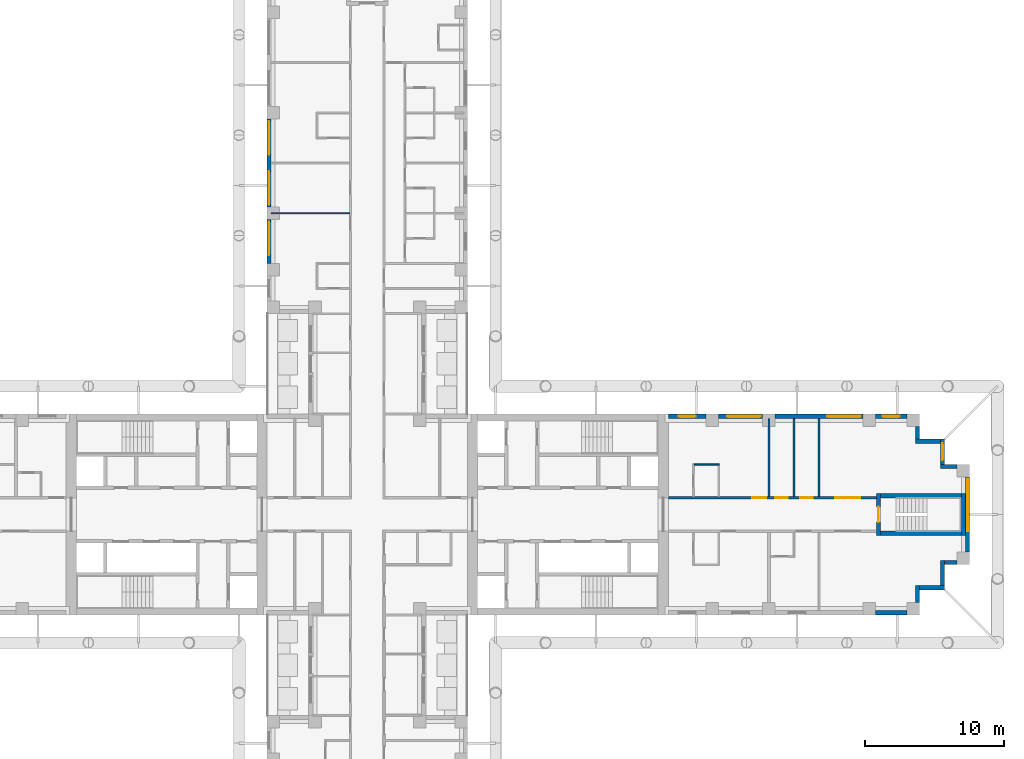
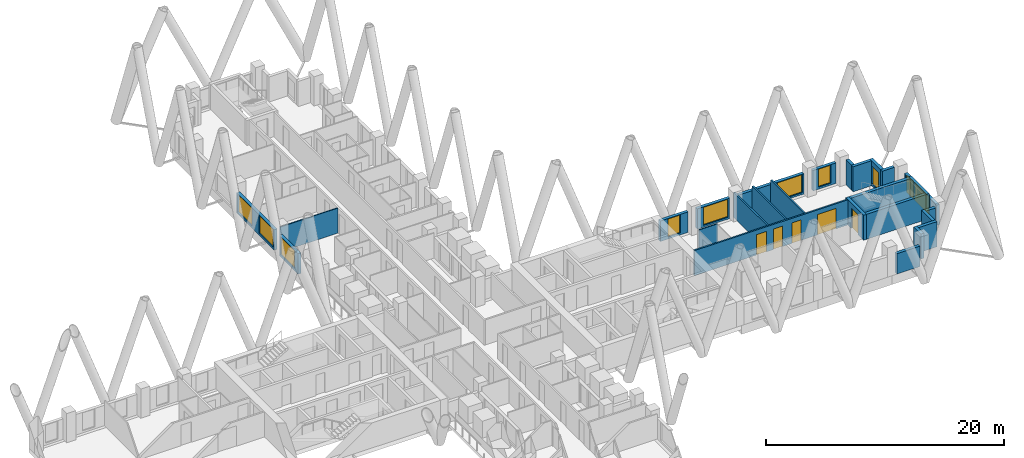
# One storey, part 11 of 17: 26 walls, 10 windows, 5 doors, 15 openings.
"""IFC4 building model written with IfcOpenShell, lengths in metres."""

from ifc_helpers import new_model, si_unit, direction, frame, frame_2d, origin, place, context, subcontext, project, spatial, rectangle, extrude, material, layer, layer_set, type_object, element, fill, save


model = new_model("IFC4")

# Units and contexts
model_context = context("Model", 3, precision=1e-05, world=origin(), true_north=direction((0.0, 1.0)))
body_context = subcontext(model_context, "Body", "Model", "MODEL_VIEW")
ifc_project = project(units=[si_unit("LENGTHUNIT", "METRE"), si_unit("AREAUNIT", "SQUARE_METRE"), si_unit("VOLUMEUNIT", "CUBIC_METRE"), si_unit("PLANEANGLEUNIT", "RADIAN"), si_unit("MASSUNIT", "GRAM", prefix="KILO")], contexts=[model_context])

# Site, building, storey
site_placement = place(None, origin())
site = spatial("IfcSite", under=ifc_project, at=site_placement, CompositionType="ELEMENT")
building_placement = place(site_placement, origin())
building = spatial("IfcBuilding", under=site, at=building_placement, Name="Fustian Cross Tower", CompositionType="ELEMENT")
storey_placement = place(building_placement, frame((0.0, 0.0, 56.699951171875)))
storey = spatial("IfcBuildingStorey", under=building, at=storey_placement, Name="L17", CompositionType="ELEMENT", Elevation=56.699951171875)

# Wall, openings, doors
ifc_material_1 = material(Name="Plasterboard on steel stud", Category="steel")
ifc_layer_1 = layer(ifc_material_1, 0.14990234375)
ifc_layer_set_1 = layer_set([ifc_layer_1], Name="Plasterboard on steel stud")
wall_type_1 = type_object("IfcWallType", Name="COMPARTMENT WALL 150 EI 60", PredefinedType="PARTITIONING", material=ifc_layer_set_1)
wall_1_placement = place(storey_placement, frame((21.60009765625, 1.199951171875, 0.0), z_axis=(0.0, 0.0, 1.0), x_axis=(1.0, 0.0, 0.0)))
wall_1 = element("IfcWall", 1, at=wall_1_placement, inside=storey, type_object=wall_type_1, Name="Partition 89", PredefinedType="PARTITIONING", context=body_context, shape_type="SweptSolid", body=[
    extrude(rectangle(XDim=14.89990234375, YDim=0.14990234375, at=frame_2d((7.449951171875, 0.0))), origin(), (0.0, 0.0, 1.0), 2.574951171875),
])
opening_1_placement = place(wall_1_placement, frame((6.0, 0.0, 0.0)))
opening_1 = element("IfcOpeningElement", 2, at=opening_1_placement, cuts=wall_1, Name="Opening D09013", PredefinedType="OPENING", context=body_context, shape_type="SweptSolid", body=[
    extrude(rectangle(XDim=1.0, YDim=2.10009765625, at=frame_2d((0.5, 1.050048828125))), frame((0.0, 0.0849609375, 0.0), z_axis=(0.0, -1.0, 0.0), x_axis=(1.0, 0.0, 0.0)), (0.0, 0.0, 1.0), 0.169921875),
])
opening_2_placement = place(wall_1_placement, frame((7.64990234375, 0.0, 0.0)))
opening_2 = element("IfcOpeningElement", 3, at=opening_2_placement, cuts=wall_1, Name="Opening D09014", PredefinedType="OPENING", context=body_context, shape_type="SweptSolid", body=[
    extrude(rectangle(XDim=0.89990234375, YDim=2.10009765625, at=frame_2d((0.449951171875, 1.050048828125))), frame((0.0, 0.0849609375, 0.0), z_axis=(0.0, -1.0, 0.0), x_axis=(1.0, 0.0, 0.0)), (0.0, 0.0, 1.0), 0.169921875),
])
opening_3_placement = place(wall_1_placement, frame((9.449951171875, 0.0, 0.0)))
opening_3 = element("IfcOpeningElement", 4, at=opening_3_placement, cuts=wall_1, Name="Opening D09015", PredefinedType="OPENING", context=body_context, shape_type="SweptSolid", body=[
    extrude(rectangle(XDim=0.89990234375, YDim=2.10009765625, at=frame_2d((0.449951171875, 1.050048828125))), frame((0.0, 0.0849609375, 0.0), z_axis=(0.0, -1.0, 0.0), x_axis=(1.0, 0.0, 0.0)), (0.0, 0.0, 1.0), 0.169921875),
])
opening_4_placement = place(wall_1_placement, frame((11.949951171875, 0.0, 0.0)))
opening_4 = element("IfcOpeningElement", 5, at=opening_4_placement, cuts=wall_1, Name="Opening D09016", PredefinedType="OPENING", context=body_context, shape_type="SweptSolid", body=[
    extrude(rectangle(XDim=1.800048828125, YDim=2.10009765625, at=frame_2d((0.89990234375, 1.050048828125))), frame((0.0, 0.0849609375, 0.0), z_axis=(0.0, -1.0, 0.0), x_axis=(1.0, 0.0, 0.0)), (0.0, 0.0, 1.0), 0.169921875),
])
ifc_material_2 = material(Name="Timber fire door set", Category="wood")
door_type_1 = type_object("IfcDoorType", Name="FIRE DOUBLE DOOR 1800 FD30S", OperationType="DOUBLE_DOOR_DOUBLE_SWING", PredefinedType="DOOR", material=ifc_material_2)
door_1_placement = place(opening_4_placement, frame((1.800048828125, 0.0, 0.0), z_axis=(0.0, 0.0, 1.0), x_axis=(-1.0, 0.0, 0.0)))
door_1 = element("IfcDoor", 6, at=door_1_placement, inside=storey, type_object=door_type_1, Name="Door D09016", OperationType="DOUBLE_DOOR_DOUBLE_SWING", OverallHeight=2.10009765625, OverallWidth=1.800048828125, PredefinedType="DOOR", context=body_context, shape_type="SweptSolid", body=[
    extrude(rectangle(XDim=1.800048828125, YDim=2.10009765625, at=frame_2d((0.89990234375, 1.050048828125))), frame((0.0, 0.02490234375, 0.0), z_axis=(0.0, -1.0, 0.0), x_axis=(1.0, 0.0, 0.0)), (0.0, 0.0, 1.0), 0.050048828125),
])
fill(opening_4, door_1)
ifc_material_3 = material(Name="Timber fire door set", Category="wood")
door_type_2 = type_object("IfcDoorType", Name="FIRE SWING DOOR 1000 FD30S", OperationType="SINGLE_SWING_LEFT", PredefinedType="DOOR", material=ifc_material_3)
door_2_placement = place(opening_1_placement, origin())
door_2 = element("IfcDoor", 7, at=door_2_placement, inside=storey, type_object=door_type_2, Name="Door D09013", OperationType="SINGLE_SWING_RIGHT", OverallHeight=2.10009765625, OverallWidth=1.0, PredefinedType="DOOR", context=body_context, shape_type="SweptSolid", body=[
    extrude(rectangle(XDim=1.0, YDim=2.10009765625, at=frame_2d((0.5, 1.050048828125))), frame((0.0, 0.02490234375, 0.0), z_axis=(0.0, -1.0, 0.0), x_axis=(1.0, 0.0, 0.0)), (0.0, 0.0, 1.0), 0.050048828125),
])
fill(opening_1, door_2)
ifc_material_4 = material(Name="Timber fire door set", Category="wood")
door_type_3 = type_object("IfcDoorType", Name="FIRE SWING DOOR 900 FD30S", OperationType="SINGLE_SWING_LEFT", PredefinedType="DOOR", material=ifc_material_4)
door_3_placement = place(opening_2_placement, origin())
door_3 = element("IfcDoor", 8, at=door_3_placement, inside=storey, type_object=door_type_3, Name="Door D09014", OperationType="SINGLE_SWING_RIGHT", OverallHeight=2.10009765625, OverallWidth=0.89990234375, PredefinedType="DOOR", context=body_context, shape_type="SweptSolid", body=[
    extrude(rectangle(XDim=0.89990234375, YDim=2.10009765625, at=frame_2d((0.449951171875, 1.050048828125))), frame((0.0, 0.02490234375, 0.0), z_axis=(0.0, -1.0, 0.0), x_axis=(1.0, 0.0, 0.0)), (0.0, 0.0, 1.0), 0.050048828125),
])
fill(opening_2, door_3)
door_4_placement = place(opening_3_placement, frame((0.89990234375, 0.0, 0.0), z_axis=(0.0, 0.0, 1.0), x_axis=(-1.0, 0.0, 0.0)))
door_4 = element("IfcDoor", 9, at=door_4_placement, inside=storey, type_object=door_type_3, Name="Door D09015", OperationType="SINGLE_SWING_LEFT", OverallHeight=2.10009765625, OverallWidth=0.89990234375, PredefinedType="DOOR", context=body_context, shape_type="SweptSolid", body=[
    extrude(rectangle(XDim=0.89990234375, YDim=2.10009765625, at=frame_2d((0.449951171875, 1.050048828125))), frame((0.0, 0.02490234375, 0.0), z_axis=(0.0, -1.0, 0.0), x_axis=(1.0, 0.0, 0.0)), (0.0, 0.0, 1.0), 0.050048828125),
])
fill(opening_3, door_4)

# Walls
for number, where, z_axis, x_axis, name in (
    (10, (28.800048828125, 1.27490234375, 0.0), (0.0, 0.0, 1.0), (0.0, 1.0, 0.0), "Partition 98"),
    (11, (30.60009765625, 1.27490234375, 0.0), (0.0, 0.0, 1.0), (0.0, 1.0, 0.0), "Partition 100"),
    (12, (32.39990234375, 1.27490234375, 0.0), (0.0, 0.0, 1.0), (0.0, 1.0, 0.0), "Partition 102"),
):
    element("IfcWall", number, at=place(storey_placement, frame(where, z_axis=z_axis, x_axis=x_axis)), inside=storey, type_object=wall_type_1, Name=name, PredefinedType="PARTITIONING", context=body_context, shape_type="SweptSolid", body=[
        extrude(rectangle(XDim=5.625, YDim=0.14990234375, at=frame_2d((2.8125, 0.0))), origin(), (0.0, 0.0, 1.0), 2.574951171875),
    ])
ifc_material_5 = material(Name="Plasterboard on steel stud", Category="steel")
ifc_layer_2 = layer(ifc_material_5, 0.10009765625)
ifc_layer_set_2 = layer_set([ifc_layer_2], Name="Plasterboard on steel stud")
wall_type_2 = type_object("IfcWallType", Name="PARTITION 100 STUD", PredefinedType="PARTITIONING", material=ifc_layer_set_2)
wall_2_placement = place(storey_placement, frame((-6.89990234375, 21.60009765625, 0.0), z_axis=(0.0, 0.0, 1.0), x_axis=(1.0, 0.0, 0.0)))
element("IfcWall", 13, at=wall_2_placement, inside=storey, type_object=wall_type_2, Name="Partition 19", PredefinedType="PARTITIONING", context=body_context, shape_type="SweptSolid", body=[
    extrude(rectangle(XDim=5.625, YDim=0.10009765625, at=frame_2d((2.8125, 0.0))), origin(), (0.0, 0.0, 1.0), 2.574951171875),
])
wall_3_placement = place(storey_placement, frame((23.449951171875, 3.60009765625, 0.0), z_axis=(0.0, 0.0, 1.0), x_axis=(1.0, 0.0, 0.0)))
element("IfcWall", 14, at=wall_3_placement, inside=storey, type_object=wall_type_2, Name="Partition 93", PredefinedType="PARTITIONING", context=body_context, shape_type="SweptSolid", body=[
    extrude(rectangle(XDim=1.800048828125, YDim=0.10009765625, at=frame_2d((0.89990234375, 0.0))), origin(), (0.0, 0.0, 1.0), 2.574951171875),
])

# Wall, opening, door
ifc_material_6 = material(Name="Concrete C50/60", Category="concrete")
ifc_layer_3 = layer(ifc_material_6, 0.300048828125)
ifc_layer_set_3 = layer_set([ifc_layer_3], Name="Concrete C50/60")
wall_type_3 = type_object("IfcWallType", Name="STAIR ENCLOSURE WALL 300 C50/60", PredefinedType="SHEAR", material=ifc_layer_set_3)
wall_4_placement = place(storey_placement, frame((36.64990234375, -1.5, 0.0), z_axis=(0.0, 0.0, 1.0), x_axis=(0.0, 1.0, 0.0)))
wall_4 = element("IfcWall", 15, at=wall_4_placement, inside=storey, type_object=wall_type_3, Name="Stair enclosure wall", PredefinedType="SHEAR", context=body_context, shape_type="SweptSolid", body=[
    extrude(rectangle(XDim=3.0, YDim=0.300048828125, at=frame_2d((1.5, 0.0))), origin(), (0.0, 0.0, 1.0), 2.574951171875),
])
opening_5_placement = place(wall_4_placement, frame((0.949951171875, 0.0, 0.0)))
opening_5 = element("IfcOpeningElement", 16, at=opening_5_placement, cuts=wall_4, Name="Opening CD-06-33", PredefinedType="OPENING", context=body_context, shape_type="SweptSolid", body=[
    extrude(rectangle(XDim=1.10009765625, YDim=2.10009765625, at=frame_2d((0.550048828125, 1.050048828125))), frame((0.0, 0.159912109375, 0.0), z_axis=(0.0, -1.0, 0.0), x_axis=(1.0, 0.0, 0.0)), (0.0, 0.0, 1.0), 0.320068359375),
])
ifc_material_7 = material(Name="Steel", Category="steel")
door_type_4 = type_object("IfcDoorType", Name="FIRE DOOR FD60S 1100X2100", OperationType="SINGLE_SWING_LEFT", PredefinedType="DOOR", material=ifc_material_7)
door_5_placement = place(opening_5_placement, frame((1.10009765625, 0.0, 0.0), z_axis=(0.0, 0.0, 1.0), x_axis=(-1.0, 0.0, 0.0)))
door_5 = element("IfcDoor", 17, at=door_5_placement, inside=storey, type_object=door_type_4, Name="Core door CD-06-33", OperationType="SINGLE_SWING_RIGHT", OverallHeight=2.10009765625, OverallWidth=1.10009765625, PredefinedType="DOOR", context=body_context, shape_type="SweptSolid", body=[
    extrude(rectangle(XDim=1.10009765625, YDim=2.10009765625, at=frame_2d((0.550048828125, 1.050048828125))), frame((0.0, 0.02490234375, 0.0), z_axis=(0.0, -1.0, 0.0), x_axis=(1.0, 0.0, 0.0)), (0.0, 0.0, 1.0), 0.050048828125),
])
fill(opening_5, door_5)

# Walls
wall_5_placement = place(storey_placement, frame((42.75, -1.5, 0.0), z_axis=(0.0, 0.0, 1.0), x_axis=(0.0, 1.0, 0.0)))
element("IfcWall", 18, at=wall_5_placement, inside=storey, type_object=wall_type_3, Name="Stair enclosure wall", PredefinedType="SHEAR", context=body_context, shape_type="SweptSolid", body=[
    extrude(rectangle(XDim=3.0, YDim=0.300048828125, at=frame_2d((1.5, 0.0))), origin(), (0.0, 0.0, 1.0), 2.574951171875),
])
for number, where, z_axis, x_axis, name in (
    (19, (36.800048828125, -1.35009765625, 0.0), (0.0, 0.0, 1.0), (1.0, 0.0, 0.0), "Stair enclosure wall"),
    (20, (36.800048828125, 1.35009765625, 0.0), (0.0, 0.0, 1.0), (1.0, 0.0, 0.0), "Stair enclosure wall"),
):
    element("IfcWall", number, at=place(storey_placement, frame(where, z_axis=z_axis, x_axis=x_axis)), inside=storey, type_object=wall_type_3, Name=name, PredefinedType="SHEAR", context=body_context, shape_type="SweptSolid", body=[
        extrude(rectangle(XDim=5.800048828125, YDim=0.300048828125, at=frame_2d((2.89990234375, 0.0))), origin(), (0.0, 0.0, 1.0), 2.574951171875),
    ])
ifc_material_8 = material(Name="Dark aluminium cladding on insulated backing wall", Category="aluminium")
ifc_layer_4 = layer(ifc_material_8, 0.300048828125)
ifc_layer_set_4 = layer_set([ifc_layer_4], Name="Dark aluminium cladding on insulated backing wall")
wall_type_4 = type_object("IfcWallType", Name="XW1 EXTERNAL WALL 300", PredefinedType="SOLIDWALL", material=ifc_layer_set_4)
wall_6_placement = place(storey_placement, frame((36.449951171875, -7.050048828125, 0.0), z_axis=(0.0, 0.0, 1.0), x_axis=(1.0, 0.0, 0.0)))
element("IfcWall", 21, at=wall_6_placement, inside=storey, type_object=wall_type_4, Name="External wall", PredefinedType="SOLIDWALL", context=body_context, shape_type="SweptSolid", body=[
    extrude(rectangle(XDim=2.25, YDim=0.300048828125, at=frame_2d((1.125, 0.0))), origin(), (0.0, 0.0, 1.0), 2.10009765625),
])
wall_7_placement = place(storey_placement, frame((39.449951171875, -6.300048828125, 0.0), z_axis=(0.0, 0.0, 1.0), x_axis=(0.0, 1.0, 0.0)))
element("IfcWall", 22, at=wall_7_placement, inside=storey, type_object=wall_type_4, Name="External wall", PredefinedType="SOLIDWALL", context=body_context, shape_type="SweptSolid", body=[
    extrude(rectangle(XDim=1.199951171875, YDim=0.300048828125, at=frame_2d((0.60009765625, 0.0))), origin(), (0.0, 0.0, 1.0), 2.574951171875),
])
wall_8_placement = place(storey_placement, frame((39.60009765625, -5.25, 0.0), z_axis=(0.0, 0.0, 1.0), x_axis=(1.0, 0.0, 0.0)))
element("IfcWall", 23, at=wall_8_placement, inside=storey, type_object=wall_type_4, Name="External wall", PredefinedType="SOLIDWALL", context=body_context, shape_type="SweptSolid", body=[
    extrude(rectangle(XDim=1.7998046875, YDim=0.300048828125, at=frame_2d((0.89990234375, 0.0))), origin(), (0.0, 0.0, 1.0), 2.574951171875),
])
wall_9_placement = place(storey_placement, frame((41.25, -5.10009765625, 0.0), z_axis=(0.0, 0.0, 1.0), x_axis=(0.0, 1.0, 0.0)))
element("IfcWall", 24, at=wall_9_placement, inside=storey, type_object=wall_type_4, Name="External wall", PredefinedType="SOLIDWALL", context=body_context, shape_type="SweptSolid", body=[
    extrude(rectangle(XDim=1.800048828125, YDim=0.300048828125, at=frame_2d((0.89990234375, 0.0))), origin(), (0.0, 0.0, 1.0), 2.574951171875),
])
wall_10_placement = place(storey_placement, frame((41.39990234375, -3.449951171875, 0.0), z_axis=(0.0, 0.0, 1.0), x_axis=(1.0, 0.0, 0.0)))
element("IfcWall", 25, at=wall_10_placement, inside=storey, type_object=wall_type_4, Name="External wall", PredefinedType="SOLIDWALL", context=body_context, shape_type="SweptSolid", body=[
    extrude(rectangle(XDim=0.900146484375, YDim=0.300048828125, at=frame_2d((0.4501953125, 0.0))), origin(), (0.0, 0.0, 1.0), 2.574951171875),
])

# Wall, openings, windows
wall_11_placement = place(storey_placement, frame((43.050048828125, -2.699951171875, 0.0), z_axis=(0.0, 0.0, 1.0), x_axis=(0.0, 1.0, 0.0)))
wall_11 = element("IfcWall", 26, at=wall_11_placement, inside=storey, type_object=wall_type_4, Name="External wall", PredefinedType="SOLIDWALL", context=body_context, shape_type="SweptSolid", body=[
    extrude(rectangle(XDim=5.39990234375, YDim=0.300048828125, at=frame_2d((2.699951171875, 0.0))), origin(), (0.0, 0.0, 1.0), 2.10009765625),
])
opening_6_placement = place(wall_11_placement, frame((1.5, 0.0, 0.199951171875)))
opening_6 = element("IfcOpeningElement", 27, at=opening_6_placement, cuts=wall_11, Name="Opening WN1", PredefinedType="OPENING", context=body_context, shape_type="SweptSolid", body=[
    extrude(rectangle(XDim=2.39990234375, YDim=1.85009765625, at=frame_2d((1.199951171875, 0.925048828125))), frame((0.0, 0.159912109375, 0.0), z_axis=(0.0, -1.0, 0.0), x_axis=(1.0, 0.0, 0.0)), (0.0, 0.0, 1.0), 0.320068359375),
])
opening_7_placement = place(wall_11_placement, frame((4.050048828125, 0.0, 0.199951171875)))
opening_7 = element("IfcOpeningElement", 28, at=opening_7_placement, cuts=wall_11, Name="Opening WN3", PredefinedType="OPENING", context=body_context, shape_type="SweptSolid", body=[
    extrude(rectangle(XDim=1.199951171875, YDim=1.85009765625, at=frame_2d((0.60009765625, 0.925048828125))), frame((0.0, 0.159912109375, 0.0), z_axis=(0.0, -1.0, 0.0), x_axis=(1.0, 0.0, 0.0)), (0.0, 0.0, 1.0), 0.320068359375),
])
ifc_material_9 = material(Name="Dark anodised aluminium and double glazing", Category="aluminium")
window_type_1 = type_object("IfcWindowType", Name="WN1 WINDOW 2400X1850", PartitioningType="SINGLE_PANEL", PredefinedType="WINDOW", material=ifc_material_9)
window_1_placement = place(opening_6_placement, origin())
window_1 = element("IfcWindow", 29, at=window_1_placement, inside=storey, type_object=window_type_1, Name="Window", OverallHeight=1.85009765625, OverallWidth=2.39990234375, PartitioningType="SINGLE_PANEL", PredefinedType="WINDOW", context=body_context, shape_type="SweptSolid", body=[
    extrude(rectangle(XDim=2.39990234375, YDim=1.85009765625, at=frame_2d((1.199951171875, 0.925048828125))), frame((0.0, 0.030029296875, 0.0), z_axis=(0.0, -1.0, 0.0), x_axis=(1.0, 0.0, 0.0)), (0.0, 0.0, 1.0), 0.06005859375),
])
fill(opening_6, window_1)
ifc_material_10 = material(Name="Dark anodised aluminium and double glazing", Category="aluminium")
window_type_2 = type_object("IfcWindowType", Name="WN3 WINDOW 1200X1850", PartitioningType="SINGLE_PANEL", PredefinedType="WINDOW", material=ifc_material_10)
window_2_placement = place(opening_7_placement, origin())
window_2 = element("IfcWindow", 30, at=window_2_placement, inside=storey, type_object=window_type_2, Name="Window", OverallHeight=1.85009765625, OverallWidth=1.199951171875, PartitioningType="SINGLE_PANEL", PredefinedType="WINDOW", context=body_context, shape_type="SweptSolid", body=[
    extrude(rectangle(XDim=1.199951171875, YDim=1.85009765625, at=frame_2d((0.60009765625, 0.925048828125))), frame((0.0, 0.030029296875, 0.0), z_axis=(0.0, -1.0, 0.0), x_axis=(1.0, 0.0, 0.0)), (0.0, 0.0, 1.0), 0.06005859375),
])
fill(opening_7, window_2)

# Wall
wall_12_placement = place(storey_placement, frame((42.300048828125, 3.449951171875, 0.0), z_axis=(0.0, 0.0, 1.0), x_axis=(-1.0, 0.0, 0.0)))
element("IfcWall", 31, at=wall_12_placement, inside=storey, type_object=wall_type_4, Name="External wall", PredefinedType="SOLIDWALL", context=body_context, shape_type="SweptSolid", body=[
    extrude(rectangle(XDim=1.199951171875, YDim=0.300048828125, at=frame_2d((0.60009765625, 0.0))), origin(), (0.0, 0.0, 1.0), 2.574951171875),
])

# Wall, opening, window
wall_13_placement = place(storey_placement, frame((41.25, 3.60009765625, 0.0), z_axis=(0.0, 0.0, 1.0), x_axis=(0.0, 1.0, 0.0)))
wall_13 = element("IfcWall", 32, at=wall_13_placement, inside=storey, type_object=wall_type_4, Name="External wall", PredefinedType="SOLIDWALL", context=body_context, shape_type="SweptSolid", body=[
    extrude(rectangle(XDim=1.7998046875, YDim=0.300048828125, at=frame_2d((0.89990234375, 0.0))), origin(), (0.0, 0.0, 1.0), 2.574951171875),
])
opening_8_placement = place(wall_13_placement, frame((0.300048828125, 0.0, 0.199951171875)))
opening_8 = element("IfcOpeningElement", 33, at=opening_8_placement, cuts=wall_13, Name="Opening WN3", PredefinedType="OPENING", context=body_context, shape_type="SweptSolid", body=[
    extrude(rectangle(XDim=1.199951171875, YDim=1.85009765625, at=frame_2d((0.60009765625, 0.925048828125))), frame((0.0, 0.159912109375, 0.0), z_axis=(0.0, -1.0, 0.0), x_axis=(1.0, 0.0, 0.0)), (0.0, 0.0, 1.0), 0.320068359375),
])
window_3_placement = place(opening_8_placement, origin())
window_3 = element("IfcWindow", 34, at=window_3_placement, inside=storey, type_object=window_type_2, Name="Window", OverallHeight=1.85009765625, OverallWidth=1.199951171875, PartitioningType="SINGLE_PANEL", PredefinedType="WINDOW", context=body_context, shape_type="SweptSolid", body=[
    extrude(rectangle(XDim=1.199951171875, YDim=1.85009765625, at=frame_2d((0.60009765625, 0.925048828125))), frame((0.0, 0.030029296875, 0.0), z_axis=(0.0, -1.0, 0.0), x_axis=(1.0, 0.0, 0.0)), (0.0, 0.0, 1.0), 0.06005859375),
])
fill(opening_8, window_3)

# Walls
wall_14_placement = place(storey_placement, frame((41.10009765625, 5.25, 0.0), z_axis=(0.0, 0.0, 1.0), x_axis=(-1.0, 0.0, 0.0)))
element("IfcWall", 35, at=wall_14_placement, inside=storey, type_object=wall_type_4, Name="External wall", PredefinedType="SOLIDWALL", context=body_context, shape_type="SweptSolid", body=[
    extrude(rectangle(XDim=1.800048828125, YDim=0.300048828125, at=frame_2d((0.89990234375, 0.0))), origin(), (0.0, 0.0, 1.0), 2.574951171875),
])
wall_15_placement = place(storey_placement, frame((39.449951171875, 5.39990234375, 0.0), z_axis=(0.0, 0.0, 1.0), x_axis=(0.0, 1.0, 0.0)))
element("IfcWall", 36, at=wall_15_placement, inside=storey, type_object=wall_type_4, Name="External wall", PredefinedType="SOLIDWALL", context=body_context, shape_type="SweptSolid", body=[
    extrude(rectangle(XDim=0.900146484375, YDim=0.300048828125, at=frame_2d((0.4501953125, 0.0))), origin(), (0.0, 0.0, 1.0), 2.574951171875),
])

# Wall, opening, window
wall_16_placement = place(storey_placement, frame((38.699951171875, 7.050048828125, 0.0), z_axis=(0.0, 0.0, 1.0), x_axis=(-1.0, 0.0, 0.0)))
wall_16 = element("IfcWall", 37, at=wall_16_placement, inside=storey, type_object=wall_type_4, Name="External wall", PredefinedType="SOLIDWALL", context=body_context, shape_type="SweptSolid", body=[
    extrude(rectangle(XDim=2.25, YDim=0.300048828125, at=frame_2d((1.125, 0.0))), origin(), (0.0, 0.0, 1.0), 2.10009765625),
])
opening_9_placement = place(wall_16_placement, frame((0.52490234375, 0.0, 0.199951171875)))
opening_9 = element("IfcOpeningElement", 38, at=opening_9_placement, cuts=wall_16, Name="Opening WN3", PredefinedType="OPENING", context=body_context, shape_type="SweptSolid", body=[
    extrude(rectangle(XDim=1.199951171875, YDim=1.85009765625, at=frame_2d((0.60009765625, 0.925048828125))), frame((0.0, 0.159912109375, 0.0), z_axis=(0.0, -1.0, 0.0), x_axis=(1.0, 0.0, 0.0)), (0.0, 0.0, 1.0), 0.320068359375),
])
window_4_placement = place(opening_9_placement, origin())
window_4 = element("IfcWindow", 39, at=window_4_placement, inside=storey, type_object=window_type_2, Name="Window", OverallHeight=1.85009765625, OverallWidth=1.199951171875, PartitioningType="SINGLE_PANEL", PredefinedType="WINDOW", context=body_context, shape_type="SweptSolid", body=[
    extrude(rectangle(XDim=1.199951171875, YDim=1.85009765625, at=frame_2d((0.60009765625, 0.925048828125))), frame((0.0, 0.030029296875, 0.0), z_axis=(0.0, -1.0, 0.0), x_axis=(1.0, 0.0, 0.0)), (0.0, 0.0, 1.0), 0.06005859375),
])
fill(opening_9, window_4)

wall_17_placement = place(storey_placement, frame((35.550048828125, 7.050048828125, 0.0), z_axis=(0.0, 0.0, 1.0), x_axis=(-1.0, 0.0, 0.0)))
wall_17 = element("IfcWall", 40, at=wall_17_placement, inside=storey, type_object=wall_type_4, Name="External wall", PredefinedType="SOLIDWALL", context=body_context, shape_type="SweptSolid", body=[
    extrude(rectangle(XDim=6.300048828125, YDim=0.300048828125, at=frame_2d((3.14990234375, 0.0))), origin(), (0.0, 0.0, 1.0), 2.10009765625),
])
opening_10_placement = place(wall_17_placement, frame((0.14990234375, 0.0, 0.199951171875)))
opening_10 = element("IfcOpeningElement", 41, at=opening_10_placement, cuts=wall_17, Name="Opening WN1", PredefinedType="OPENING", context=body_context, shape_type="SweptSolid", body=[
    extrude(rectangle(XDim=2.39990234375, YDim=1.85009765625, at=frame_2d((1.199951171875, 0.925048828125))), frame((0.0, 0.159912109375, 0.0), z_axis=(0.0, -1.0, 0.0), x_axis=(1.0, 0.0, 0.0)), (0.0, 0.0, 1.0), 0.320068359375),
])
window_5_placement = place(opening_10_placement, origin())
window_5 = element("IfcWindow", 42, at=window_5_placement, inside=storey, type_object=window_type_1, Name="Window", OverallHeight=1.85009765625, OverallWidth=2.39990234375, PartitioningType="SINGLE_PANEL", PredefinedType="WINDOW", context=body_context, shape_type="SweptSolid", body=[
    extrude(rectangle(XDim=2.39990234375, YDim=1.85009765625, at=frame_2d((1.199951171875, 0.925048828125))), frame((0.0, 0.030029296875, 0.0), z_axis=(0.0, -1.0, 0.0), x_axis=(1.0, 0.0, 0.0)), (0.0, 0.0, 1.0), 0.06005859375),
])
fill(opening_10, window_5)

wall_18_placement = place(storey_placement, frame((28.35009765625, 7.050048828125, 0.0), z_axis=(0.0, 0.0, 1.0), x_axis=(-1.0, 0.0, 0.0)))
wall_18 = element("IfcWall", 43, at=wall_18_placement, inside=storey, type_object=wall_type_4, Name="External wall", PredefinedType="SOLIDWALL", context=body_context, shape_type="SweptSolid", body=[
    extrude(rectangle(XDim=3.150146484375, YDim=0.300048828125, at=frame_2d((1.5751953125, 0.0))), origin(), (0.0, 0.0, 1.0), 2.10009765625),
])
opening_11_placement = place(wall_18_placement, frame((0.14990234375, 0.0, 0.199951171875)))
opening_11 = element("IfcOpeningElement", 44, at=opening_11_placement, cuts=wall_18, Name="Opening WN1", PredefinedType="OPENING", context=body_context, shape_type="SweptSolid", body=[
    extrude(rectangle(XDim=2.39990234375, YDim=1.85009765625, at=frame_2d((1.199951171875, 0.925048828125))), frame((0.0, 0.159912109375, 0.0), z_axis=(0.0, -1.0, 0.0), x_axis=(1.0, 0.0, 0.0)), (0.0, 0.0, 1.0), 0.320068359375),
])
window_6_placement = place(opening_11_placement, origin())
window_6 = element("IfcWindow", 45, at=window_6_placement, inside=storey, type_object=window_type_1, Name="Window", OverallHeight=1.85009765625, OverallWidth=2.39990234375, PartitioningType="SINGLE_PANEL", PredefinedType="WINDOW", context=body_context, shape_type="SweptSolid", body=[
    extrude(rectangle(XDim=2.39990234375, YDim=1.85009765625, at=frame_2d((1.199951171875, 0.925048828125))), frame((0.0, 0.030029296875, 0.0), z_axis=(0.0, -1.0, 0.0), x_axis=(1.0, 0.0, 0.0)), (0.0, 0.0, 1.0), 0.06005859375),
])
fill(opening_11, window_6)

wall_19_placement = place(storey_placement, frame((24.300048828125, 7.050048828125, 0.0), z_axis=(0.0, 0.0, 1.0), x_axis=(-1.0, 0.0, 0.0)))
wall_19 = element("IfcWall", 46, at=wall_19_placement, inside=storey, type_object=wall_type_4, Name="External wall", PredefinedType="SOLIDWALL", context=body_context, shape_type="SweptSolid", body=[
    extrude(rectangle(XDim=2.699951171875, YDim=0.300048828125, at=frame_2d((1.35009765625, 0.0))), origin(), (0.0, 0.0, 1.0), 2.10009765625),
])
opening_12_placement = place(wall_19_placement, frame((0.75, 0.0, 0.199951171875)))
opening_12 = element("IfcOpeningElement", 47, at=opening_12_placement, cuts=wall_19, Name="Opening WN3", PredefinedType="OPENING", context=body_context, shape_type="SweptSolid", body=[
    extrude(rectangle(XDim=1.199951171875, YDim=1.85009765625, at=frame_2d((0.60009765625, 0.925048828125))), frame((0.0, 0.159912109375, 0.0), z_axis=(0.0, -1.0, 0.0), x_axis=(1.0, 0.0, 0.0)), (0.0, 0.0, 1.0), 0.320068359375),
])
window_7_placement = place(opening_12_placement, origin())
window_7 = element("IfcWindow", 48, at=window_7_placement, inside=storey, type_object=window_type_2, Name="Window", OverallHeight=1.85009765625, OverallWidth=1.199951171875, PartitioningType="SINGLE_PANEL", PredefinedType="WINDOW", context=body_context, shape_type="SweptSolid", body=[
    extrude(rectangle(XDim=1.199951171875, YDim=1.85009765625, at=frame_2d((0.60009765625, 0.925048828125))), frame((0.0, 0.030029296875, 0.0), z_axis=(0.0, -1.0, 0.0), x_axis=(1.0, 0.0, 0.0)), (0.0, 0.0, 1.0), 0.06005859375),
])
fill(opening_12, window_7)

# Wall, openings, windows
wall_20_placement = place(storey_placement, frame((-7.050048828125, 28.35009765625, 0.0), z_axis=(0.0, 0.0, 1.0), x_axis=(0.0, -1.0, 0.0)))
wall_20 = element("IfcWall", 49, at=wall_20_placement, inside=storey, type_object=wall_type_4, Name="External wall", PredefinedType="SOLIDWALL", context=body_context, shape_type="SweptSolid", body=[
    extrude(rectangle(XDim=6.300048828125, YDim=0.300048828125, at=frame_2d((3.14990234375, 0.0))), origin(), (0.0, 0.0, 1.0), 2.10009765625),
])
opening_13_placement = place(wall_20_placement, frame((0.14990234375, 0.0, 0.199951171875)))
opening_13 = element("IfcOpeningElement", 50, at=opening_13_placement, cuts=wall_20, Name="Opening WN1", PredefinedType="OPENING", context=body_context, shape_type="SweptSolid", body=[
    extrude(rectangle(XDim=2.39990234375, YDim=1.85009765625, at=frame_2d((1.199951171875, 0.925048828125))), frame((0.0, 0.159912109375, 0.0), z_axis=(0.0, -1.0, 0.0), x_axis=(1.0, 0.0, 0.0)), (0.0, 0.0, 1.0), 0.320068359375),
])
opening_14_placement = place(wall_20_placement, frame((3.75, 0.0, 0.199951171875)))
opening_14 = element("IfcOpeningElement", 51, at=opening_14_placement, cuts=wall_20, Name="Opening WN1", PredefinedType="OPENING", context=body_context, shape_type="SweptSolid", body=[
    extrude(rectangle(XDim=2.39990234375, YDim=1.85009765625, at=frame_2d((1.199951171875, 0.925048828125))), frame((0.0, 0.159912109375, 0.0), z_axis=(0.0, -1.0, 0.0), x_axis=(1.0, 0.0, 0.0)), (0.0, 0.0, 1.0), 0.320068359375),
])
window_8_placement = place(opening_13_placement, origin())
window_8 = element("IfcWindow", 52, at=window_8_placement, inside=storey, type_object=window_type_1, Name="Window", OverallHeight=1.85009765625, OverallWidth=2.39990234375, PartitioningType="SINGLE_PANEL", PredefinedType="WINDOW", context=body_context, shape_type="SweptSolid", body=[
    extrude(rectangle(XDim=2.39990234375, YDim=1.85009765625, at=frame_2d((1.199951171875, 0.925048828125))), frame((0.0, 0.030029296875, 0.0), z_axis=(0.0, -1.0, 0.0), x_axis=(1.0, 0.0, 0.0)), (0.0, 0.0, 1.0), 0.06005859375),
])
fill(opening_13, window_8)
window_9_placement = place(opening_14_placement, origin())
window_9 = element("IfcWindow", 53, at=window_9_placement, inside=storey, type_object=window_type_1, Name="Window", OverallHeight=1.85009765625, OverallWidth=2.39990234375, PartitioningType="SINGLE_PANEL", PredefinedType="WINDOW", context=body_context, shape_type="SweptSolid", body=[
    extrude(rectangle(XDim=2.39990234375, YDim=1.85009765625, at=frame_2d((1.199951171875, 0.925048828125))), frame((0.0, 0.030029296875, 0.0), z_axis=(0.0, -1.0, 0.0), x_axis=(1.0, 0.0, 0.0)), (0.0, 0.0, 1.0), 0.06005859375),
])
fill(opening_14, window_9)

# Wall, opening, window
wall_21_placement = place(storey_placement, frame((-7.050048828125, 21.14990234375, 0.0), z_axis=(0.0, 0.0, 1.0), x_axis=(0.0, -1.0, 0.0)))
wall_21 = element("IfcWall", 54, at=wall_21_placement, inside=storey, type_object=wall_type_4, Name="External wall", PredefinedType="SOLIDWALL", context=body_context, shape_type="SweptSolid", body=[
    extrude(rectangle(XDim=3.14990234375, YDim=0.300048828125, at=frame_2d((1.574951171875, 0.0))), origin(), (0.0, 0.0, 1.0), 2.10009765625),
])
opening_15_placement = place(wall_21_placement, frame((0.14990234375, 0.0, 0.199951171875)))
opening_15 = element("IfcOpeningElement", 55, at=opening_15_placement, cuts=wall_21, Name="Opening WN1", PredefinedType="OPENING", context=body_context, shape_type="SweptSolid", body=[
    extrude(rectangle(XDim=2.39990234375, YDim=1.85009765625, at=frame_2d((1.199951171875, 0.925048828125))), frame((0.0, 0.159912109375, 0.0), z_axis=(0.0, -1.0, 0.0), x_axis=(1.0, 0.0, 0.0)), (0.0, 0.0, 1.0), 0.320068359375),
])
window_10_placement = place(opening_15_placement, origin())
window_10 = element("IfcWindow", 56, at=window_10_placement, inside=storey, type_object=window_type_1, Name="Window", OverallHeight=1.85009765625, OverallWidth=2.39990234375, PartitioningType="SINGLE_PANEL", PredefinedType="WINDOW", context=body_context, shape_type="SweptSolid", body=[
    extrude(rectangle(XDim=2.39990234375, YDim=1.85009765625, at=frame_2d((1.199951171875, 0.925048828125))), frame((0.0, 0.030029296875, 0.0), z_axis=(0.0, -1.0, 0.0), x_axis=(1.0, 0.0, 0.0)), (0.0, 0.0, 1.0), 0.06005859375),
])
fill(opening_15, window_10)

save(model, "model.ifc")
